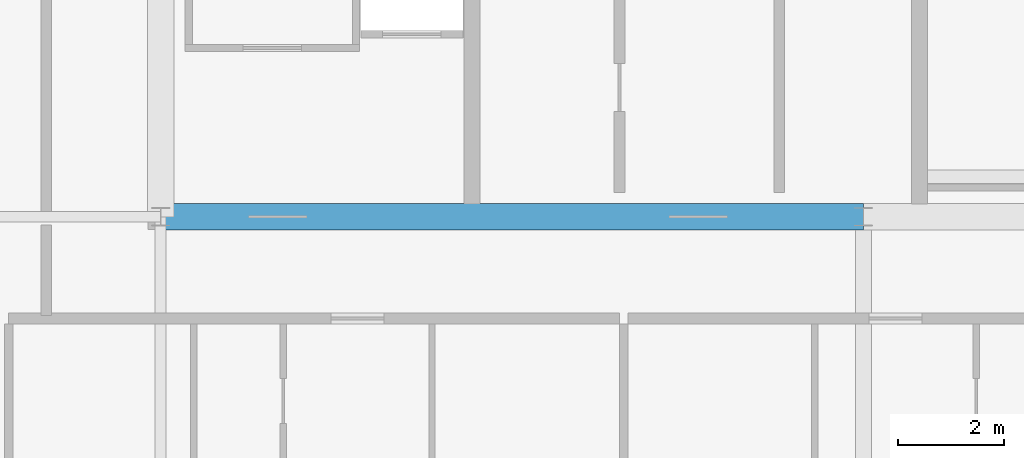
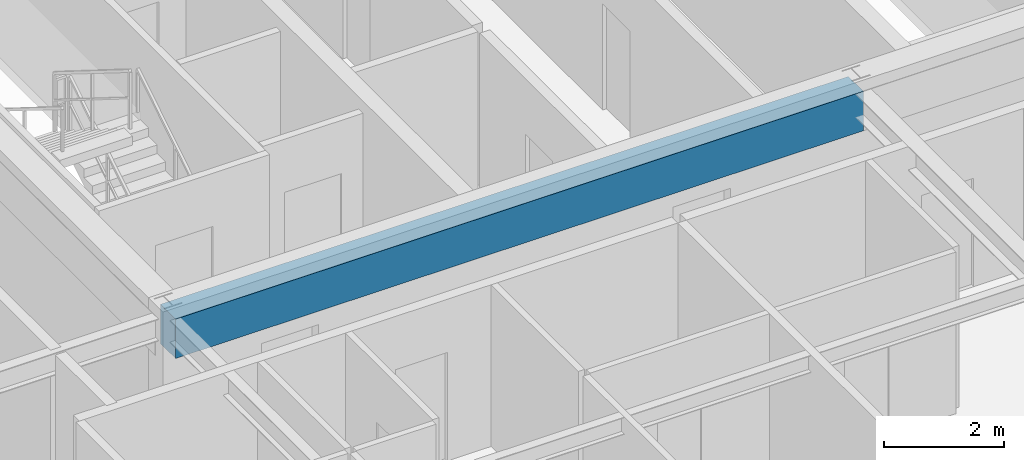
# One storey, part 7 of 35: 1 beam.
"""IFC4 building model written with IfcOpenShell, lengths in metres."""

from ifc_helpers import new_model, si_unit, direction, frame, origin, origin_2d, place, context, subcontext, project, spatial, rectangle, extrude, source, transform, mapped, material, material_profile, profile_set, type_object, element, save


model = new_model("IFC4")

# Units and contexts
model_context = context("Model", 3, precision=1e-05, world=origin(), true_north=direction((0.0, 1.0)))
body_context = subcontext(model_context, "Body", "Model", "MODEL_VIEW")
ifc_project = project(units=[si_unit("LENGTHUNIT", "METRE"), si_unit("AREAUNIT", "SQUARE_METRE"), si_unit("VOLUMEUNIT", "CUBIC_METRE"), si_unit("PLANEANGLEUNIT", "RADIAN"), si_unit("MASSUNIT", "GRAM", prefix="KILO"), si_unit("THERMODYNAMICTEMPERATUREUNIT", "KELVIN"), si_unit("POWERUNIT", "WATT")], contexts=[model_context])

# Site, building, storey
site_placement = place(None, origin())
site = spatial("IfcSite", under=ifc_project, at=site_placement, CompositionType="ELEMENT")
building_placement = place(site_placement, origin())
building = spatial("IfcBuilding", under=site, at=building_placement, Name="Yuzanri Waterfront Tower", CompositionType="ELEMENT")
storey_placement = place(building_placement, frame((0.0, 0.0, 332.199951171875)))
storey = spatial("IfcBuildingStorey", under=building, at=storey_placement, Name="L89", CompositionType="ELEMENT", Elevation=332.199951171875)

# Beam
ifc_material = material(Name="Concrete C50", Category="concrete")
ifc_material_profile = material_profile(ifc_material, rectangle(XDim=0.5, YDim=0.800048828125, at=origin_2d()), Name="RC 500x800")
ifc_profile_set = profile_set([ifc_material_profile], Name="Concrete C50")
beam_type = type_object("IfcBeamType", Name="Core Coupling Lintel Concrete C50 500x800", PredefinedType="LINTEL", material=ifc_profile_set)
shared_shape = source(origin(), body_context, "Body", "SweptSolid", [
    extrude(rectangle(XDim=0.5, YDim=0.800048828125, at=origin_2d()), origin(), (0.0, 0.0, 1.0), 13.199951171875),
])
beam_placement = place(storey_placement, frame((23.800048828125, 19.39990234375, 2.880126953125), z_axis=(1.0, 0.0, 0.0), x_axis=(0.0, 1.0, 0.0)))
element("IfcBeam", 1, at=beam_placement, inside=storey, type_object=beam_type, Name="L89 Core Tie Beam CS1", PredefinedType="LINTEL", context=body_context, shape_type="MappedRepresentation", body=[
    mapped(shared_shape, transform((0.0, 0.0, 0.0), scale=1.0)),
])

save(model, "model.ifc")
